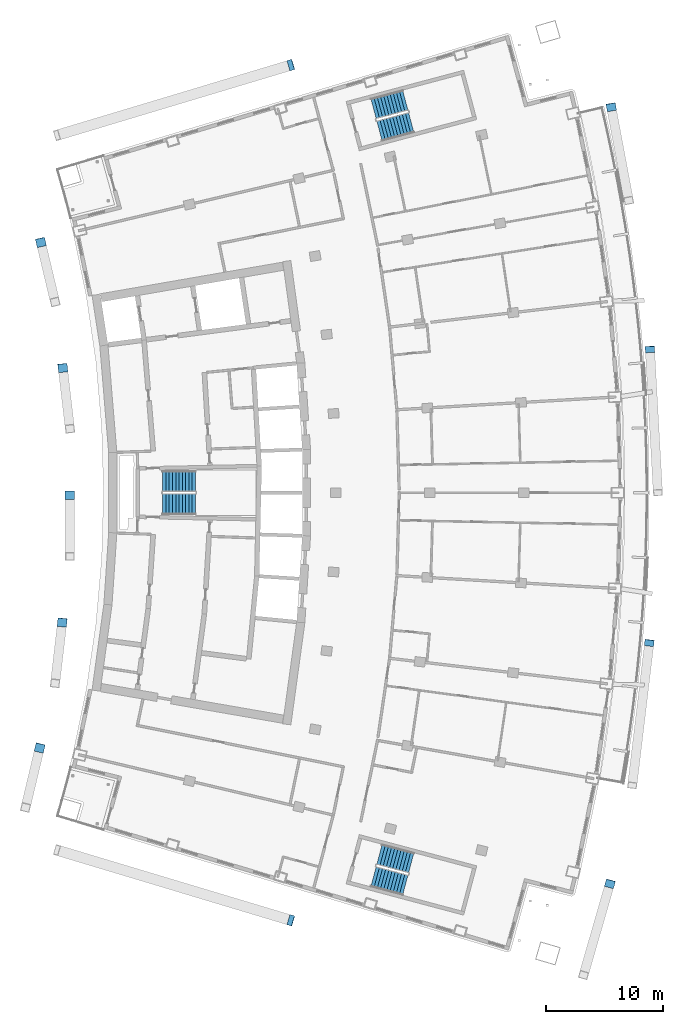
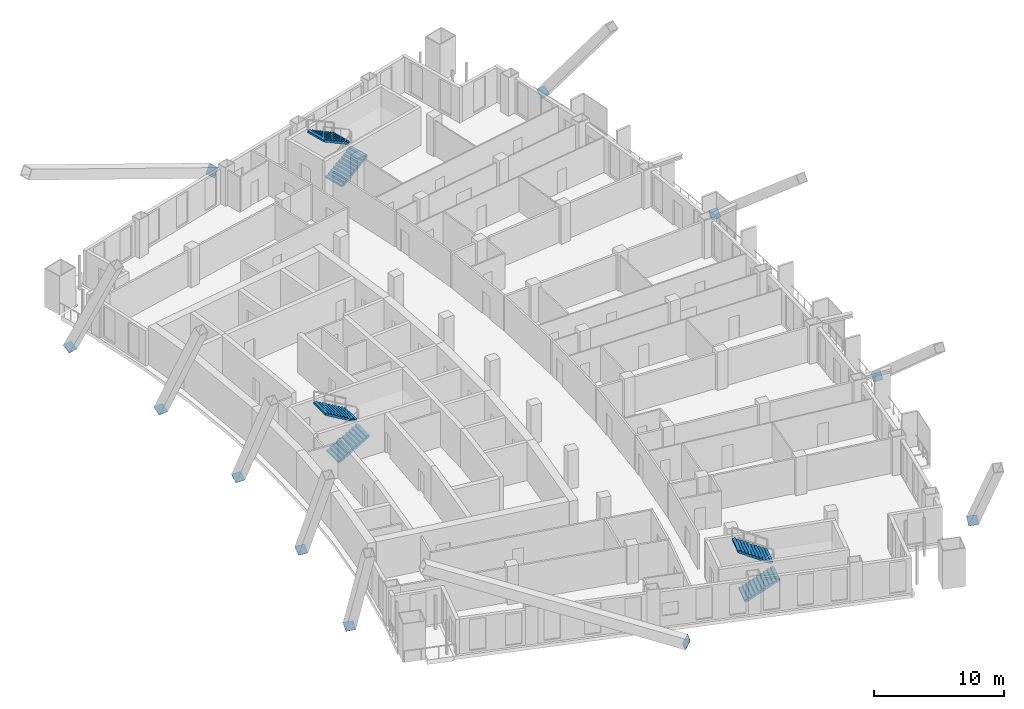
# One storey, part 17 of 20: 11 discrete accessories, 6 stair flights, 3 elements without a shape of their own.
"""IFC4 building model written with IfcOpenShell, lengths in metres."""

from ifc_helpers import new_model, si_unit, direction, frame, origin, origin_2d, place, context, subcontext, project, spatial, polyline, rectangle, outline, extrude, material, layer, layer_set, material_profile, profile_set, type_object, element, aggregate, save


model = new_model("IFC4")

# Units and contexts
model_context = context("Model", 3, precision=1e-05, world=origin(), true_north=direction((0.0, 1.0)))
body_context = subcontext(model_context, "Body", "Model", "MODEL_VIEW")
ifc_project = project(units=[si_unit("LENGTHUNIT", "METRE"), si_unit("AREAUNIT", "SQUARE_METRE"), si_unit("VOLUMEUNIT", "CUBIC_METRE"), si_unit("PLANEANGLEUNIT", "RADIAN"), si_unit("MASSUNIT", "GRAM", prefix="KILO")], contexts=[model_context])

# Site, building, storey
site_placement = place(None, origin())
site = spatial("IfcSite", under=ifc_project, at=site_placement, CompositionType="ELEMENT")
building_placement = place(site_placement, origin())
building = spatial("IfcBuilding", under=site, at=building_placement, Name="Alderwake Tower", CompositionType="ELEMENT")
storey_placement = place(building_placement, frame((0.0, 0.0, 149.60009765625)))
storey = spatial("IfcBuildingStorey", under=building, at=storey_placement, Name="L36", CompositionType="ELEMENT", Elevation=149.60009765625)

# Stair, stair flights
ifc_material_1 = material(Name="Concrete C40/50", Category="concrete")
stair_type = type_object("IfcStairType", Name="Core exit stair", PredefinedType="HALF_TURN_STAIR", material=ifc_material_1)
stair_1_placement = place(storey_placement, origin())
stair_1 = element("IfcStair", 1, at=stair_1_placement, inside=storey, type_object=stair_type, Name="L36 Exit Stair B", PredefinedType="HALF_TURN_STAIR")
ifc_material_2 = material(Name="Concrete C40/50", Category="concrete")
ifc_layer = layer(ifc_material_2, 0.14990234375)
ifc_layer_set = layer_set([ifc_layer], Name="Core stair flight")
stair_flight_type = type_object("IfcStairFlightType", Name="Core stair flight", PredefinedType="STRAIGHT", material=ifc_layer_set)
stair_flight_1_placement = place(storey_placement, frame((21.0400390625, 60.02490234375, 0.0), z_axis=(0.0, 0.0, 1.0), x_axis=(1.0, 0.0, 0.0)))
stair_flight_1 = element("IfcStairFlight", 2, at=stair_flight_1_placement, type_object=stair_flight_type, Name="ST-B flight 1", NumberOfRisers=11, NumberOfTreads=10, PredefinedType="STRAIGHT", RiserHeight=0.163636364, TreadLength=0.28, context=body_context, shape_type="SweptSolid", body=[
    extrude(outline(polyline([(0.0, 0.0), (0.0, 0.16357421875), (0.280029296875, 0.16357421875), (0.280029296875, 0.327392578125), (0.56005859375, 0.327392578125), (0.56005859375, 0.490966796875), (0.840087890625, 0.490966796875), (0.840087890625, 0.654541015625), (1.1201171875, 0.654541015625), (1.1201171875, 0.818115234375), (1.39990234375, 0.818115234375), (1.39990234375, 0.98193359375), (1.679931640625, 0.98193359375), (1.679931640625, 1.1455078125), (1.9599609375, 1.1455078125), (1.9599609375, 1.30908203125), (2.239990234375, 1.30908203125), (2.239990234375, 1.47265625), (2.52001953125, 1.47265625), (2.52001953125, 1.636474609375), (2.800048828125, 1.636474609375), (2.800048828125, 1.800048828125), (2.800048828125, 1.462646484375), (0.297119140625, 0.0), (0.0, 0.0)])), frame((0.0, 0.89990234375, 0.0), z_axis=(0.0, -1.0, 0.0), x_axis=(1.0, 0.0, 0.0)), (0.0, 0.0, 1.0), 1.800048828125),
])
stair_flight_2_placement = place(storey_placement, frame((23.840087890625, 61.97509765625, 1.7998046875), z_axis=(0.0, 0.0, 1.0), x_axis=(-1.0, 0.0, 0.0)))
stair_flight_2 = element("IfcStairFlight", 3, at=stair_flight_2_placement, type_object=stair_flight_type, Name="ST-B flight 2", NumberOfRisers=11, NumberOfTreads=10, PredefinedType="STRAIGHT", RiserHeight=0.163636364, TreadLength=0.28, context=body_context, shape_type="SweptSolid", body=[
    extrude(outline(polyline([(0.0, 0.0), (0.0, 0.16357421875), (0.280029296875, 0.16357421875), (0.280029296875, 0.327392578125), (0.56005859375, 0.327392578125), (0.56005859375, 0.490966796875), (0.840087890625, 0.490966796875), (0.840087890625, 0.654541015625), (1.1201171875, 0.654541015625), (1.1201171875, 0.818115234375), (1.39990234375, 0.818115234375), (1.39990234375, 0.98193359375), (1.679931640625, 0.98193359375), (1.679931640625, 1.1455078125), (1.9599609375, 1.1455078125), (1.9599609375, 1.30908203125), (2.239990234375, 1.30908203125), (2.239990234375, 1.47265625), (2.52001953125, 1.47265625), (2.52001953125, 1.636474609375), (2.800048828125, 1.636474609375), (2.800048828125, 1.800048828125), (2.800048828125, 1.462646484375), (0.297119140625, 0.0), (0.0, 0.0)])), frame((0.0, 0.89990234375, 0.0), z_axis=(0.0, -1.0, 0.0), x_axis=(1.0, 0.0, 0.0)), (0.0, 0.0, 1.0), 1.800048828125),
])
aggregate(stair_1, [stair_flight_1, stair_flight_2])

stair_2_placement = place(storey_placement, origin())
stair_2 = element("IfcStair", 4, at=stair_2_placement, inside=storey, type_object=stair_type, Name="L36 Exit Stair A", PredefinedType="HALF_TURN_STAIR")
stair_flight_3_placement = place(storey_placement, frame((39.512939453125, 91.823974609375, 0.0), z_axis=(0.0, 0.0, 1.0), x_axis=(0.966309627437, 0.257382407951, 0.0)))
stair_flight_3 = element("IfcStairFlight", 5, at=stair_flight_3_placement, type_object=stair_flight_type, Name="ST-A flight 1", NumberOfRisers=11, NumberOfTreads=10, PredefinedType="STRAIGHT", RiserHeight=0.163636364, TreadLength=0.28, context=body_context, shape_type="SweptSolid", body=[
    extrude(outline(polyline([(0.0, 0.0), (0.0, 0.16357421875), (0.280029296875, 0.16357421875), (0.280029296875, 0.327392578125), (0.56005859375, 0.327392578125), (0.56005859375, 0.490966796875), (0.840087890625, 0.490966796875), (0.840087890625, 0.654541015625), (1.1201171875, 0.654541015625), (1.1201171875, 0.818115234375), (1.39990234375, 0.818115234375), (1.39990234375, 0.98193359375), (1.679931640625, 0.98193359375), (1.679931640625, 1.1455078125), (1.9599609375, 1.1455078125), (1.9599609375, 1.30908203125), (2.239990234375, 1.30908203125), (2.239990234375, 1.47265625), (2.52001953125, 1.47265625), (2.52001953125, 1.636474609375), (2.800048828125, 1.636474609375), (2.800048828125, 1.800048828125), (2.800048828125, 1.462646484375), (0.297119140625, 0.0), (0.0, 0.0)])), frame((0.0, 0.89990234375, 0.0), z_axis=(0.0, -1.0, 0.0), x_axis=(1.0, 0.0, 0.0)), (0.0, 0.0, 1.0), 1.800048828125),
])
stair_flight_4_placement = place(storey_placement, frame((41.716796875, 94.428955078125, 1.7998046875), z_axis=(0.0, 0.0, 1.0), x_axis=(-0.966309627437, -0.257382407951, 0.0)))
stair_flight_4 = element("IfcStairFlight", 6, at=stair_flight_4_placement, type_object=stair_flight_type, Name="ST-A flight 2", NumberOfRisers=11, NumberOfTreads=10, PredefinedType="STRAIGHT", RiserHeight=0.163636364, TreadLength=0.28, context=body_context, shape_type="SweptSolid", body=[
    extrude(outline(polyline([(0.0, 0.0), (0.0, 0.16357421875), (0.280029296875, 0.16357421875), (0.280029296875, 0.327392578125), (0.56005859375, 0.327392578125), (0.56005859375, 0.490966796875), (0.840087890625, 0.490966796875), (0.840087890625, 0.654541015625), (1.1201171875, 0.654541015625), (1.1201171875, 0.818115234375), (1.39990234375, 0.818115234375), (1.39990234375, 0.98193359375), (1.679931640625, 0.98193359375), (1.679931640625, 1.1455078125), (1.9599609375, 1.1455078125), (1.9599609375, 1.30908203125), (2.239990234375, 1.30908203125), (2.239990234375, 1.47265625), (2.52001953125, 1.47265625), (2.52001953125, 1.636474609375), (2.800048828125, 1.636474609375), (2.800048828125, 1.800048828125), (2.800048828125, 1.462646484375), (0.297119140625, 0.0), (0.0, 0.0)])), frame((0.0, 0.89990234375, 0.0), z_axis=(0.0, -1.0, 0.0), x_axis=(1.0, 0.0, 0.0)), (0.0, 0.0, 1.0), 1.800048828125),
])
aggregate(stair_2, [stair_flight_3, stair_flight_4])

stair_3_placement = place(storey_placement, origin())
stair_3 = element("IfcStair", 7, at=stair_3_placement, inside=storey, type_object=stair_type, Name="L36 Exit Stair C", PredefinedType="HALF_TURN_STAIR")
stair_flight_5_placement = place(storey_placement, frame((39.010986328125, 28.291748046875, 0.0), z_axis=(0.0, 0.0, 1.0), x_axis=(0.966309627437, -0.257382407951, 0.0)))
stair_flight_5 = element("IfcStairFlight", 8, at=stair_flight_5_placement, type_object=stair_flight_type, Name="ST-C flight 1", NumberOfRisers=11, NumberOfTreads=10, PredefinedType="STRAIGHT", RiserHeight=0.163636364, TreadLength=0.28, context=body_context, shape_type="SweptSolid", body=[
    extrude(outline(polyline([(0.0, 0.0), (0.0, 0.16357421875), (0.280029296875, 0.16357421875), (0.280029296875, 0.327392578125), (0.56005859375, 0.327392578125), (0.56005859375, 0.490966796875), (0.840087890625, 0.490966796875), (0.840087890625, 0.654541015625), (1.1201171875, 0.654541015625), (1.1201171875, 0.818115234375), (1.39990234375, 0.818115234375), (1.39990234375, 0.98193359375), (1.679931640625, 0.98193359375), (1.679931640625, 1.1455078125), (1.9599609375, 1.1455078125), (1.9599609375, 1.30908203125), (2.239990234375, 1.30908203125), (2.239990234375, 1.47265625), (2.52001953125, 1.47265625), (2.52001953125, 1.636474609375), (2.800048828125, 1.636474609375), (2.800048828125, 1.800048828125), (2.800048828125, 1.462646484375), (0.297119140625, 0.0), (0.0, 0.0)])), frame((0.0, 0.89990234375, 0.0), z_axis=(0.0, -1.0, 0.0), x_axis=(1.0, 0.0, 0.0)), (0.0, 0.0, 1.0), 1.800048828125),
])
stair_flight_6_placement = place(storey_placement, frame((42.218505859375, 29.455322265625, 1.7998046875), z_axis=(0.0, 0.0, 1.0), x_axis=(-0.966309627437, 0.257382407951, 0.0)))
stair_flight_6 = element("IfcStairFlight", 9, at=stair_flight_6_placement, type_object=stair_flight_type, Name="ST-C flight 2", NumberOfRisers=11, NumberOfTreads=10, PredefinedType="STRAIGHT", RiserHeight=0.163636364, TreadLength=0.28, context=body_context, shape_type="SweptSolid", body=[
    extrude(outline(polyline([(0.0, 0.0), (0.0, 0.16357421875), (0.280029296875, 0.16357421875), (0.280029296875, 0.327392578125), (0.56005859375, 0.327392578125), (0.56005859375, 0.490966796875), (0.840087890625, 0.490966796875), (0.840087890625, 0.654541015625), (1.1201171875, 0.654541015625), (1.1201171875, 0.818115234375), (1.39990234375, 0.818115234375), (1.39990234375, 0.98193359375), (1.679931640625, 0.98193359375), (1.679931640625, 1.1455078125), (1.9599609375, 1.1455078125), (1.9599609375, 1.30908203125), (2.239990234375, 1.30908203125), (2.239990234375, 1.47265625), (2.52001953125, 1.47265625), (2.52001953125, 1.636474609375), (2.800048828125, 1.636474609375), (2.800048828125, 1.800048828125), (2.800048828125, 1.462646484375), (0.297119140625, 0.0), (0.0, 0.0)])), frame((0.0, 0.89990234375, 0.0), z_axis=(0.0, -1.0, 0.0), x_axis=(1.0, 0.0, 0.0)), (0.0, 0.0, 1.0), 1.800048828125),
])
aggregate(stair_3, [stair_flight_5, stair_flight_6])

# Discrete accessories
ifc_material_3 = material(Name="Steel ASTM A572 Grade 50", Category="steel")
ifc_material_profile_1 = material_profile(ifc_material_3, rectangle(XDim=0.800048828125, YDim=0.800048828125, at=origin_2d()), Name="BOX 800X800X50 cap")
ifc_profile_set_1 = profile_set([ifc_material_profile_1], Name="Steel ASTM A572 Grade 50")
discrete_accessory_type_1 = type_object("IfcDiscreteAccessoryType", Name="End cap plate BOX 800X800X50", PredefinedType="USERDEFINED", material=ifc_profile_set_1)
discrete_accessory_1_placement = place(storey_placement, frame((59.1455078125, 27.668212890625, 0.359619140625), z_axis=(0.162553283031, 0.593319483065, -0.788383422702), x_axis=(-0.964458286837, 0.264235147079, 0.0)))
element("IfcDiscreteAccessory", 10, at=discrete_accessory_1_placement, inside=storey, type_object=discrete_accessory_type_1, Name="End cap BRF3.1.2B2 X", ObjectType="END CAP", PredefinedType="USERDEFINED", context=body_context, shape_type="SweptSolid", body=[
    extrude(rectangle(XDim=0.800048828125, YDim=0.800048828125, at=origin_2d()), origin(), (0.0, 0.0, 1.0), 0.030029296875),
])
discrete_accessory_2_placement = place(storey_placement, frame((62.50244140625, 48.188232421875, 0.296630859375), z_axis=(0.089859564923, 0.751552724807, -0.653524108528), x_axis=(-0.992927816807, 0.11871963027, 0.0)))
element("IfcDiscreteAccessory", 11, at=discrete_accessory_2_placement, inside=storey, type_object=discrete_accessory_type_1, Name="End cap BRF3.1.4B2 X", ObjectType="END CAP", PredefinedType="USERDEFINED", context=body_context, shape_type="SweptSolid", body=[
    extrude(rectangle(XDim=0.800048828125, YDim=0.800048828125, at=origin_2d()), origin(), (0.0, 0.0, 1.0), 0.02978515625),
])
discrete_accessory_3_placement = place(storey_placement, frame((62.556640625, 73.19482421875, 0.296630859375), z_axis=(-0.040724498871, 0.757475678997, -0.651591981933), x_axis=(-0.998557871823, -0.053685907087, 0.0)))
element("IfcDiscreteAccessory", 12, at=discrete_accessory_3_placement, inside=storey, type_object=discrete_accessory_type_1, Name="End cap BRF3.1.7B2 X", ObjectType="END CAP", PredefinedType="USERDEFINED", context=body_context, shape_type="SweptSolid", body=[
    extrude(rectangle(XDim=0.800048828125, YDim=0.800048828125, at=origin_2d()), origin(), (0.0, 0.0, 1.0), 0.030029296875),
])
discrete_accessory_4_placement = place(storey_placement, frame((59.26318359375, 93.835693359375, 0.359619140625), z_axis=(-0.106475141665, 0.597898872427, -0.794468364731), x_axis=(-0.984510817439, -0.175323844201, 0.0)))
element("IfcDiscreteAccessory", 13, at=discrete_accessory_4_placement, inside=storey, type_object=discrete_accessory_type_1, Name="End cap BRF3.1.10B2 X", ObjectType="END CAP", PredefinedType="USERDEFINED", context=body_context, shape_type="SweptSolid", body=[
    extrude(rectangle(XDim=0.800048828125, YDim=0.800048828125, at=origin_2d()), origin(), (0.0, 0.0, 1.0), 0.02978515625),
])
for number, where, z_axis, x_axis, name in (
    (14, (10.565185546875, 39.244873046875, 0.446533203125), (0.105495990526, 0.438214114494, -0.892658381376), (-0.972223637158, 0.234053838575, 0.0), "End cap BRR3.1.2B2 X"),
    (15, (12.48193359375, 49.934814453125, 0.446533203125), (0.048728980643, 0.446682322562, -0.893364645123), (-0.994102176608, 0.108447510175, 0.0), "End cap BRR3.1.4B2 X"),
    (16, (13.141357421875, 60.775146484375, 0.446533203125), (0.0, 0.4472135955, -0.894427191), (-1.0, 0.0, 0.0), "End cap BRR3.1.6B2 X"),
    (17, (12.5341796875, 71.618408203125, 0.446533203125), (-0.048728980643, 0.446682322562, -0.893364645123), (-0.994102176608, -0.108447510175, 0.0), "End cap BRR3.1.8B2 X"),
    (18, (10.669189453125, 82.3173828125, 0.446533203125), (-0.097461175546, 0.438575289956, -0.893394109171), (-0.976187060184, -0.216930457819, 0.0), "End cap BRR3.1.10B2 X"),
):
    element("IfcDiscreteAccessory", number, at=place(storey_placement, frame(where, z_axis=z_axis, x_axis=x_axis)), inside=storey, type_object=discrete_accessory_type_1, Name=name, ObjectType="END CAP", PredefinedType="USERDEFINED", context=body_context, shape_type="SweptSolid", body=[
        extrude(rectangle(XDim=0.800048828125, YDim=0.800048828125, at=origin_2d()), origin(), (0.0, 0.0, 1.0), 0.030029296875),
    ])
ifc_material_4 = material(Name="Steel ASTM A572 Grade 50", Category="steel")
ifc_material_profile_2 = material_profile(ifc_material_4, rectangle(XDim=0.89990234375, YDim=0.89990234375, at=origin_2d()), Name="BOX 900X900X55 cap")
ifc_profile_set_2 = profile_set([ifc_material_profile_2], Name="Steel ASTM A572 Grade 50")
discrete_accessory_type_2 = type_object("IfcDiscreteAccessoryType", Name="End cap plate BOX 900X900X55", PredefinedType="USERDEFINED", material=ifc_profile_set_2)
for number, where, z_axis, x_axis, name in (
    (19, (31.951416015625, 24.56982421875, 0.352294921875), (0.854816978035, -0.254801214607, -0.452066671076), (0.285656661543, 0.958332025822, 0.0), "End cap BRS3.1.0B2 X"),
    (20, (31.951416015625, 97.43017578125, 0.352294921875), (0.854816978035, 0.254801214607, -0.452066671076), (-0.285656661543, 0.958332025822, 0.0), "End cap BRN3.1.0B2 X"),
):
    element("IfcDiscreteAccessory", number, at=place(storey_placement, frame(where, z_axis=z_axis, x_axis=x_axis)), inside=storey, type_object=discrete_accessory_type_2, Name=name, ObjectType="END CAP", PredefinedType="USERDEFINED", context=body_context, shape_type="SweptSolid", body=[
        extrude(rectangle(XDim=0.89990234375, YDim=0.89990234375, at=origin_2d()), origin(), (0.0, 0.0, 1.0), 0.02978515625),
    ])

save(model, "model.ifc")
